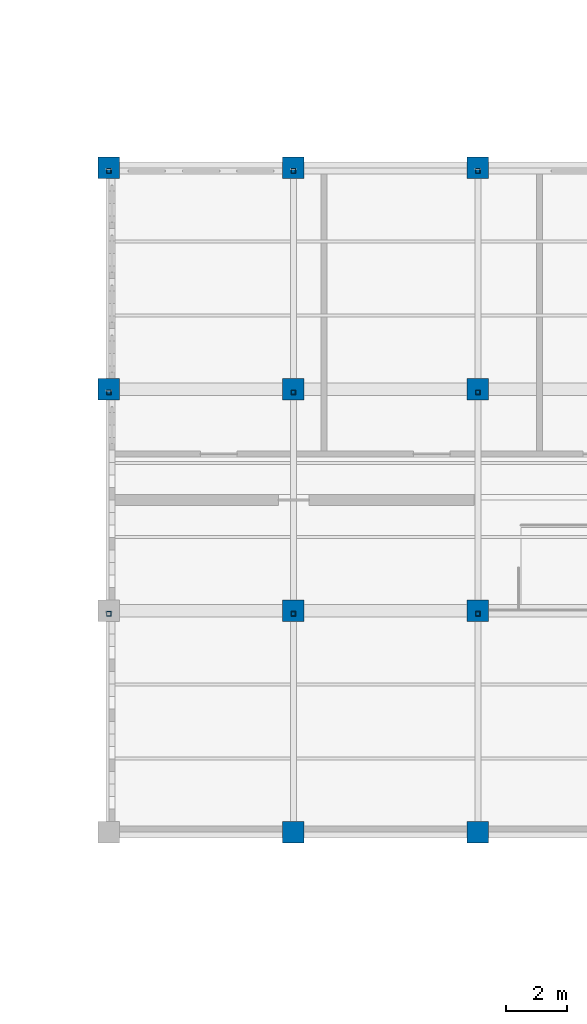
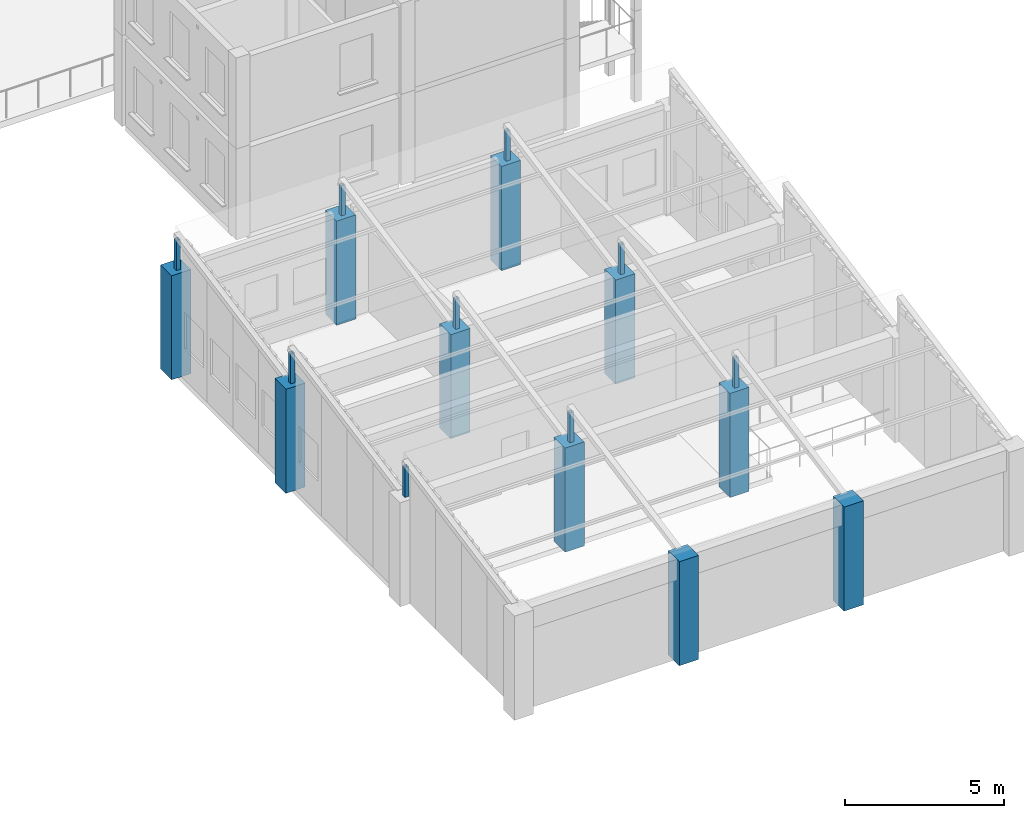
# One storey, part 2 of 103: 19 columns.
"""IFC4 building model written with IfcOpenShell, lengths in metres."""

from ifc_helpers import new_model, si_unit, direction, frame, origin, origin_2d, place, context, subcontext, project, spatial, rectangle, hollow_rectangle, extrude, material, material_profile, profile_set, type_object, element, save


model = new_model("IFC4")

# Units and contexts
model_context = context("Model", 3, precision=1e-05, world=origin(), true_north=direction((0.0, 1.0)))
body_context = subcontext(model_context, "Body", "Model", "MODEL_VIEW")
ifc_project = project(units=[si_unit("LENGTHUNIT", "METRE"), si_unit("AREAUNIT", "SQUARE_METRE"), si_unit("VOLUMEUNIT", "CUBIC_METRE"), si_unit("PLANEANGLEUNIT", "RADIAN"), si_unit("MASSUNIT", "GRAM", prefix="KILO")], contexts=[model_context])

# Site, building, storey
site_placement = place(None, origin())
site = spatial("IfcSite", under=ifc_project, at=site_placement, CompositionType="ELEMENT")
building_placement = place(site_placement, origin())
building = spatial("IfcBuilding", under=site, at=building_placement, Name="Laocheng Heights Fire and Rescue Headquarters", CompositionType="ELEMENT")
storey_placement = place(building_placement, frame((0.0, 0.0, 4.199951171875)))
storey = spatial("IfcBuildingStorey", under=building, at=storey_placement, Name="L01", CompositionType="ELEMENT", Elevation=4.199951171875)

# Columns
ifc_material_1 = material(Name="Concrete C45", Category="concrete")
ifc_material_profile_1 = material_profile(ifc_material_1, rectangle(XDim=0.699951171875, YDim=0.699951171875, at=origin_2d()), Name="RC COLUMN 700x700 WORKSHOP")
ifc_profile_set_1 = profile_set([ifc_material_profile_1], Name="Concrete C45")
column_type_1 = type_object("IfcColumnType", Name="RC COLUMN 700x700 WORKSHOP", PredefinedType="COLUMN", material=ifc_profile_set_1)
for number, where, z_axis, x_axis, name in (
    (1, (114.0, 0.0, 0.0), (0.0, 0.0, 1.0), (1.0, 0.0, 0.0), "Workshop column"),
    (2, (120.0, 0.0, 0.0), (0.0, 0.0, 1.0), (1.0, 0.0, 0.0), "Workshop column"),
    (3, (114.0, 7.199951171875, 0.0), (0.0, 0.0, 1.0), (1.0, 0.0, 0.0), "Workshop column"),
    (4, (120.0, 7.199951171875, 0.0), (0.0, 0.0, 1.0), (1.0, 0.0, 0.0), "Workshop column"),
    (5, (108.0, 14.39990234375, 0.0), (0.0, 0.0, 1.0), (1.0, 0.0, 0.0), "Workshop column"),
    (6, (114.0, 14.39990234375, 0.0), (0.0, 0.0, 1.0), (1.0, 0.0, 0.0), "Workshop column"),
    (7, (120.0, 14.39990234375, 0.0), (0.0, 0.0, 1.0), (1.0, 0.0, 0.0), "Workshop column"),
    (8, (108.0, 21.60009765625, 0.0), (0.0, 0.0, 1.0), (1.0, 0.0, 0.0), "Workshop column"),
    (9, (114.0, 21.60009765625, 0.0), (0.0, 0.0, 1.0), (1.0, 0.0, 0.0), "Workshop column"),
    (10, (120.0, 21.60009765625, 0.0), (0.0, 0.0, 1.0), (1.0, 0.0, 0.0), "Workshop column"),
):
    element("IfcColumn", number, at=place(storey_placement, frame(where, z_axis=z_axis, x_axis=x_axis)), inside=storey, type_object=column_type_1, Name=name, PredefinedType="COLUMN", context=body_context, shape_type="SweptSolid", body=[
        extrude(rectangle(XDim=0.699951171875, YDim=0.699951171875, at=origin_2d()), origin(), (0.0, 0.0, 1.0), 4.003662109375),
    ])
ifc_material_2 = material(Name="Steel Q355B", Category="steel")
ifc_material_profile_2 = material_profile(ifc_material_2, hollow_rectangle(XDim=0.14990234375, YDim=0.14990234375, WallThickness=0.008056640625, at=origin_2d()), Name="SHS 150x150x8")
ifc_profile_set_2 = profile_set([ifc_material_profile_2], Name="Steel Q355B")
column_type_2 = type_object("IfcColumnType", Name="STEEL POST SHS 150x150x8 SAWTOOTH", PredefinedType="COLUMN", material=ifc_profile_set_2)
for number, where, z_axis, x_axis, name in (
    (11, (108.0, 7.10009765625, 4.003662109375), (0.0, 0.0, 1.0), (1.0, 0.0, 0.0), "Sawtooth post"),
    (12, (114.0, 7.10009765625, 4.003662109375), (0.0, 0.0, 1.0), (1.0, 0.0, 0.0), "Sawtooth post"),
    (13, (120.0, 7.10009765625, 4.003662109375), (0.0, 0.0, 1.0), (1.0, 0.0, 0.0), "Sawtooth post"),
    (14, (108.0, 14.300048828125, 4.003662109375), (0.0, 0.0, 1.0), (1.0, 0.0, 0.0), "Sawtooth post"),
    (15, (114.0, 14.300048828125, 4.003662109375), (0.0, 0.0, 1.0), (1.0, 0.0, 0.0), "Sawtooth post"),
    (16, (120.0, 14.300048828125, 4.003662109375), (0.0, 0.0, 1.0), (1.0, 0.0, 0.0), "Sawtooth post"),
    (17, (108.0, 21.5, 4.003662109375), (0.0, 0.0, 1.0), (1.0, 0.0, 0.0), "Sawtooth post"),
    (18, (114.0, 21.5, 4.003662109375), (0.0, 0.0, 1.0), (1.0, 0.0, 0.0), "Sawtooth post"),
    (19, (120.0, 21.5, 4.003662109375), (0.0, 0.0, 1.0), (1.0, 0.0, 0.0), "Sawtooth post"),
):
    element("IfcColumn", number, at=place(storey_placement, frame(where, z_axis=z_axis, x_axis=x_axis)), inside=storey, type_object=column_type_2, Name=name, PredefinedType="COLUMN", context=body_context, shape_type="SweptSolid", body=[
        extrude(hollow_rectangle(XDim=0.14990234375, YDim=0.14990234375, WallThickness=0.008056640625, at=origin_2d()), origin(), (0.0, 0.0, 1.0), 1.15478515625),
    ])

save(model, "model.ifc")
